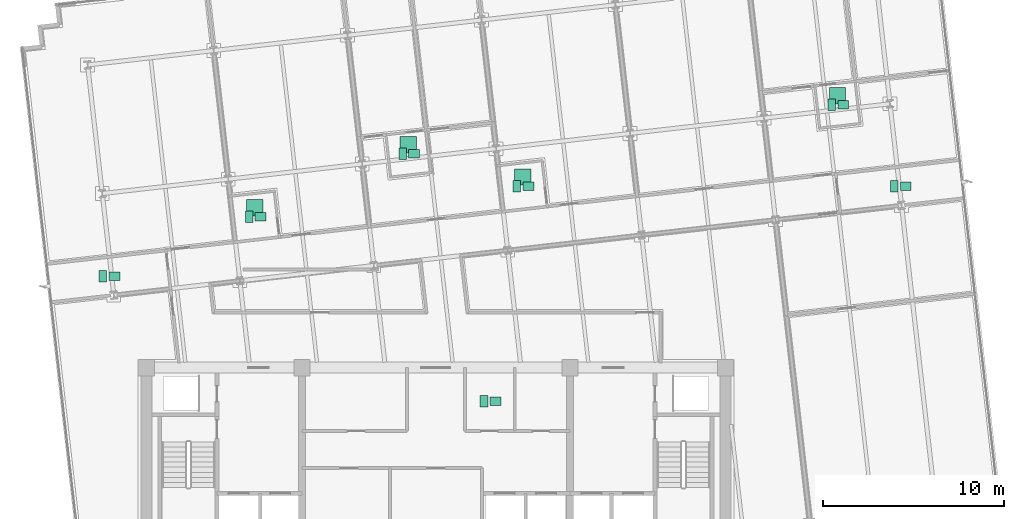
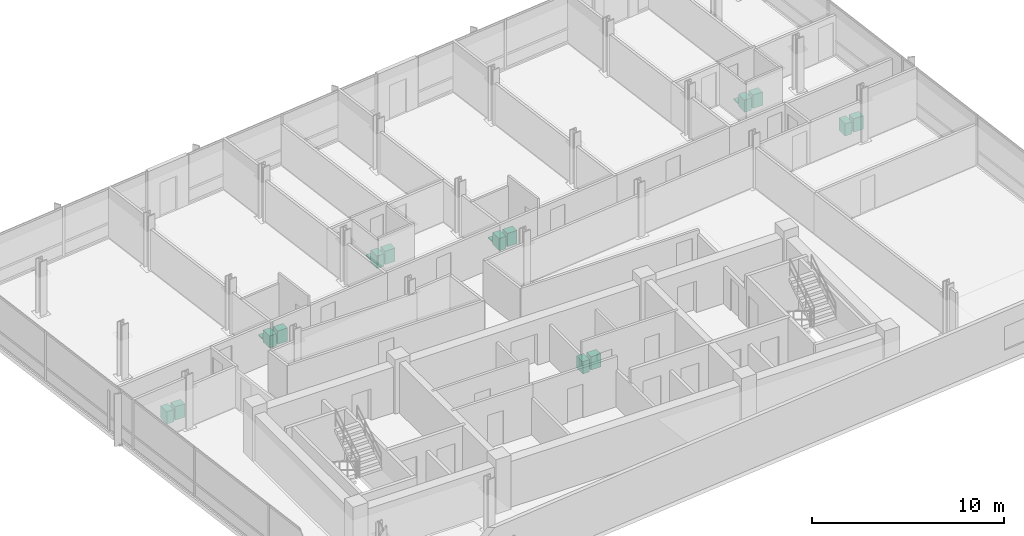
# One storey, part 16 of 16: 18 sanitary terminals.
"""IFC4 building model written with IfcOpenShell, lengths in metres."""

from ifc_helpers import new_model, si_unit, direction, frame, origin, origin_2d, place, context, subcontext, project, spatial, rectangle, extrude, material, type_object, element, save


model = new_model("IFC4")

# Units and contexts
model_context = context("Model", 3, precision=1e-05, world=origin(), true_north=direction((0.0, 1.0)))
body_context = subcontext(model_context, "Body", "Model", "MODEL_VIEW")
ifc_project = project(units=[si_unit("LENGTHUNIT", "METRE"), si_unit("AREAUNIT", "SQUARE_METRE"), si_unit("VOLUMEUNIT", "CUBIC_METRE"), si_unit("PLANEANGLEUNIT", "RADIAN"), si_unit("MASSUNIT", "GRAM", prefix="KILO")], contexts=[model_context])

# Site, building, storey
site_placement = place(None, origin())
site = spatial("IfcSite", under=ifc_project, at=site_placement, CompositionType="ELEMENT")
building_placement = place(site_placement, origin())
building = spatial("IfcBuilding", under=site, at=building_placement, Name="Solmavex Isthmus Hotel", CompositionType="ELEMENT")
storey_placement = place(building_placement, frame((0.0, 0.0, 215.85009765625)))
storey = spatial("IfcBuildingStorey", under=building, at=storey_placement, Name="L58", CompositionType="ELEMENT", Elevation=215.85009765625)

# Sanitary terminals
ifc_material = material(Name="Vitreous china ceramic", Category="ceramic")
sanitary_terminal_type_1 = type_object("IfcSanitaryTerminalType", Name="SAN-BASIN", PredefinedType="WASHHANDBASIN", material=ifc_material)
for number, where, z_axis, x_axis, name in (
    (1, (3.294921875, -4.360107421875, -0.000244140625), (0.0, 0.0, 1.0), (1.0, 0.0, 0.0), "Vanity Washbasin L58-285"),
    (2, (-9.6845703125, 5.84228515625, -0.000244140625), (0.0, 0.0, 1.0), (1.0, 0.0, 0.0), "Vanity Washbasin L58-286"),
    (3, (-1.205078125, 9.322509765625, -0.000244140625), (0.0, 0.0, 1.0), (1.0, 0.0, 0.0), "Vanity Washbasin L58-287"),
    (4, (5.11181640625, 7.5283203125, -0.000244140625), (0.0, 0.0, 1.0), (1.0, 0.0, 0.0), "Vanity Washbasin L58-288"),
    (5, (22.50048828125, 12.0234375, -0.000244140625), (0.0, 0.0, 1.0), (1.0, 0.0, 0.0), "Vanity Washbasin L58-289"),
    (6, (-17.761474609375, 2.546875, -0.000244140625), (0.0, 0.0, 1.0), (1.0, 0.0, 0.0), "Vanity Washbasin L58-290"),
    (7, (25.956787109375, 7.52783203125, -0.000244140625), (0.0, 0.0, 1.0), (1.0, 0.0, 0.0), "Vanity Washbasin L58-291"),
):
    element("IfcSanitaryTerminal", number, at=place(storey_placement, frame(where, z_axis=z_axis, x_axis=x_axis)), inside=storey, type_object=sanitary_terminal_type_1, Name=name, PredefinedType="WASHHANDBASIN", context=body_context, shape_type="SweptSolid", body=[
        extrude(rectangle(XDim=0.60009765625, YDim=0.47998046875, at=origin_2d()), origin(), (0.0, 0.0, 1.0), 0.85009765625),
    ])
sanitary_terminal_type_2 = type_object("IfcSanitaryTerminalType", Name="SAN-SHOWER", PredefinedType="SHOWER", material=ifc_material)
for number, where, z_axis, x_axis, name in (
    (8, (-10.004638671875, 6.34228515625, -0.000244140625), (0.0, 0.0, 1.0), (1.0, 0.0, 0.0), "Walk-In Shower L58-286"),
    (9, (-1.525146484375, 9.822509765625, -0.000244140625), (0.0, 0.0, 1.0), (1.0, 0.0, 0.0), "Walk-In Shower L58-287"),
    (10, (4.791748046875, 8.0283203125, -0.000244140625), (0.0, 0.0, 1.0), (1.0, 0.0, 0.0), "Walk-In Shower L58-288"),
    (11, (22.1806640625, 12.5234375, -0.000244140625), (0.0, 0.0, 1.0), (1.0, 0.0, 0.0), "Walk-In Shower L58-289"),
):
    element("IfcSanitaryTerminal", number, at=place(storey_placement, frame(where, z_axis=z_axis, x_axis=x_axis)), inside=storey, type_object=sanitary_terminal_type_2, Name=name, PredefinedType="SHOWER", context=body_context, shape_type="SweptSolid", body=[
        extrude(rectangle(XDim=0.89990234375, YDim=0.89990234375, at=origin_2d()), origin(), (0.0, 0.0, 1.0), 0.080078125),
    ])
sanitary_terminal_type_3 = type_object("IfcSanitaryTerminalType", Name="SAN-WC-SUITE", PredefinedType="TOILETPAN", material=ifc_material)
for number, where, z_axis, x_axis, name in (
    (12, (2.655029296875, -4.360107421875, 0.0), (0.0, 0.0, 1.0), (1.0, 0.0, 0.0), "Water Closet L58-285"),
    (13, (-10.32470703125, 5.84228515625, 0.0), (0.0, 0.0, 1.0), (1.0, 0.0, 0.0), "Water Closet L58-286"),
    (14, (-1.84521484375, 9.322509765625, 0.0), (0.0, 0.0, 1.0), (1.0, 0.0, 0.0), "Water Closet L58-287"),
    (15, (4.4716796875, 7.5283203125, 0.0), (0.0, 0.0, 1.0), (1.0, 0.0, 0.0), "Water Closet L58-288"),
    (16, (21.860595703125, 12.0234375, 0.0), (0.0, 0.0, 1.0), (1.0, 0.0, 0.0), "Water Closet L58-289"),
    (17, (-18.401611328125, 2.546875, 0.0), (0.0, 0.0, 1.0), (1.0, 0.0, 0.0), "Water Closet L58-290"),
    (18, (25.316650390625, 7.52783203125, 0.0), (0.0, 0.0, 1.0), (1.0, 0.0, 0.0), "Water Closet L58-291"),
):
    element("IfcSanitaryTerminal", number, at=place(storey_placement, frame(where, z_axis=z_axis, x_axis=x_axis)), inside=storey, type_object=sanitary_terminal_type_3, Name=name, PredefinedType="TOILETPAN", context=body_context, shape_type="SweptSolid", body=[
        extrude(rectangle(XDim=0.419921875, YDim=0.64990234375, at=origin_2d()), origin(), (0.0, 0.0, 1.0), 0.780029296875),
    ])

save(model, "model.ifc")
